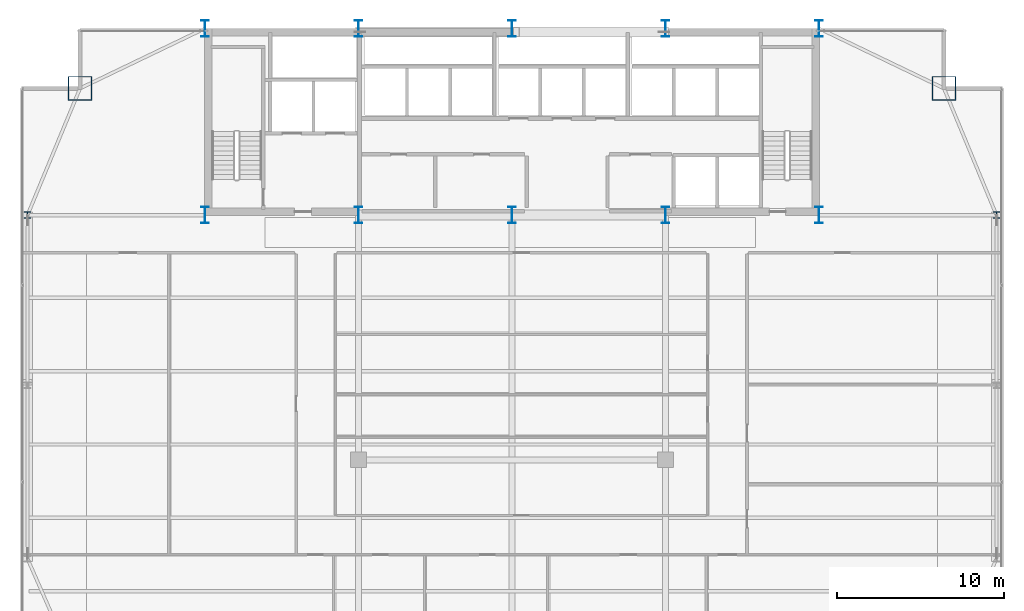
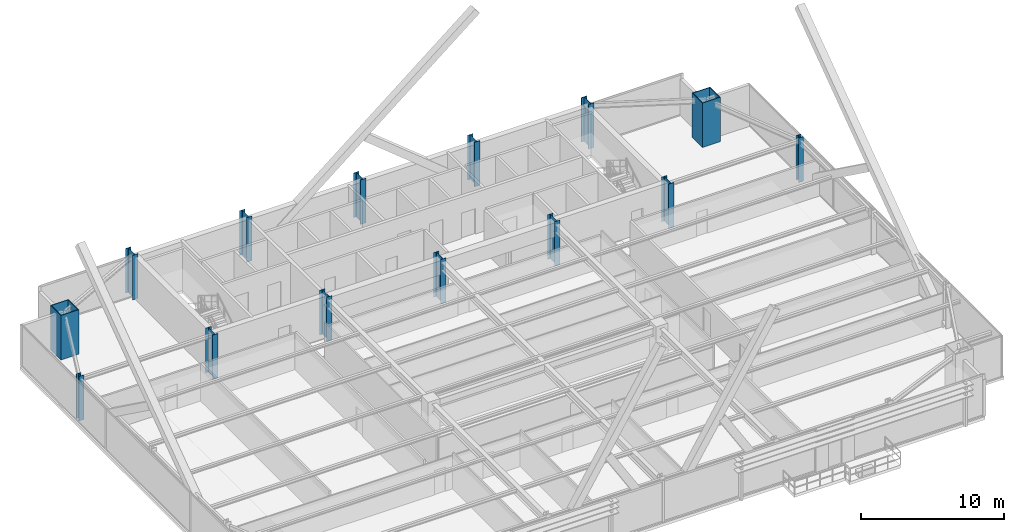
# One storey, part 2 of 37: 14 columns.
"""IFC4 building model written with IfcOpenShell, lengths in metres."""

from ifc_helpers import new_model, si_unit, direction, frame, origin, origin_2d, place, context, subcontext, project, spatial, hollow_rectangle, i_section, extrude, source, transform, mapped, material, material_profile, profile_set, type_object, type_shapes, element, save


model = new_model("IFC4")

# Units and contexts
model_context = context("Model", 3, precision=1e-05, world=origin(), true_north=direction((0.0, 1.0)))
body_context = subcontext(model_context, "Body", "Model", "MODEL_VIEW")
ifc_project = project(units=[si_unit("LENGTHUNIT", "METRE"), si_unit("AREAUNIT", "SQUARE_METRE"), si_unit("VOLUMEUNIT", "CUBIC_METRE"), si_unit("PLANEANGLEUNIT", "RADIAN"), si_unit("MASSUNIT", "GRAM", prefix="KILO")], contexts=[model_context])

# Site, building, storey
site_placement = place(None, origin())
site = spatial("IfcSite", under=ifc_project, at=site_placement, CompositionType="ELEMENT")
building_placement = place(site_placement, origin())
building = spatial("IfcBuilding", under=site, at=building_placement, Name="Varnel Quay Broadcast Tower", CompositionType="ELEMENT")
storey_placement = place(building_placement, frame((0.0, 0.0, 103.0)))
storey = spatial("IfcBuildingStorey", under=building, at=storey_placement, Name="L24", CompositionType="ELEMENT", Elevation=103.0)

# Columns
ifc_material_1 = material(Name="Structural Steel CSA G40.21 350WT", Category="steel")
ifc_material_profile_1 = material_profile(ifc_material_1, i_section(OverallWidth=0.449951171875, OverallDepth=1.0, WebThickness=0.01611328125, FlangeThickness=0.030029296875, FilletRadius=0.01611328125, at=origin_2d()), Name="WWF1000X362")
ifc_profile_set_1 = profile_set([ifc_material_profile_1], Name="Structural Steel CSA G40.21 350WT")
column_type_1 = type_object("IfcColumnType", Name="Col_WWF1000X362", PredefinedType="COLUMN", material=ifc_profile_set_1)
shared_shape_1 = source(origin(), body_context, "Body", "SweptSolid", [
    extrude(i_section(OverallWidth=0.449951171875, OverallDepth=1.0, WebThickness=0.01611328125, FlangeThickness=0.030029296875, FilletRadius=0.01611328125, at=origin_2d()), origin(), (0.0, 0.0, 1.0), 3.800048828125),
])
type_shapes(column_type_1, [shared_shape_1])
for number, where, z_axis, x_axis, name in (
    (1, (15.60009765625, 35.60009765625, 0.0), (0.0, 0.0, 1.0), (1.0, 0.0, 0.0), "L24 Column CC-S1"),
    (2, (15.60009765625, 46.800048828125, 0.0), (0.0, 0.0, 1.0), (1.0, 0.0, 0.0), "L24 Column CC-N1"),
    (3, (24.800048828125, 35.60009765625, 0.0), (0.0, 0.0, 1.0), (1.0, 0.0, 0.0), "L24 Column CC-S2"),
    (4, (24.800048828125, 46.800048828125, 0.0), (0.0, 0.0, 1.0), (1.0, 0.0, 0.0), "L24 Column CC-N2"),
    (5, (34.0, 35.60009765625, 0.0), (0.0, 0.0, 1.0), (1.0, 0.0, 0.0), "L24 Column CC-S3"),
    (6, (34.0, 46.800048828125, 0.0), (0.0, 0.0, 1.0), (1.0, 0.0, 0.0), "L24 Column CC-N3"),
    (7, (43.199951171875, 35.60009765625, 0.0), (0.0, 0.0, 1.0), (1.0, 0.0, 0.0), "L24 Column CC-S4"),
    (8, (43.199951171875, 46.800048828125, 0.0), (0.0, 0.0, 1.0), (1.0, 0.0, 0.0), "L24 Column CC-N4"),
    (9, (52.39990234375, 35.60009765625, 0.0), (0.0, 0.0, 1.0), (1.0, 0.0, 0.0), "L24 Column CC-S5"),
    (10, (52.39990234375, 46.800048828125, 0.0), (0.0, 0.0, 1.0), (1.0, 0.0, 0.0), "L24 Column CC-N5"),
):
    element("IfcColumn", number, at=place(storey_placement, frame(where, z_axis=z_axis, x_axis=x_axis)), inside=storey, type_object=column_type_1, Name=name, PredefinedType="COLUMN", context=body_context, shape_type="MappedRepresentation", body=[
        mapped(shared_shape_1, transform((0.0, 0.0, 0.0), x_axis=(1.0, 0.0, 0.0), y_axis=(0.0, 1.0, 0.0), z_axis=(0.0, 0.0, 1.0), scale=1.0)),
    ])
ifc_material_profile_2 = material_profile(ifc_material_1, hollow_rectangle(XDim=1.449951171875, YDim=1.449951171875, WallThickness=0.054931640625, at=origin_2d()), Name="BOX1450X1450X55")
ifc_profile_set_2 = profile_set([ifc_material_profile_2], Name="Structural Steel CSA G40.21 350WT")
column_type_2 = type_object("IfcColumnType", Name="Col_BOX1450X1450X55", PredefinedType="COLUMN", material=ifc_profile_set_2)
shared_shape_2 = source(origin(), body_context, "Body", "SweptSolid", [
    extrude(hollow_rectangle(XDim=1.449951171875, YDim=1.449951171875, WallThickness=0.054931640625, at=origin_2d()), origin(), (0.0, 0.0, 1.0), 3.800048828125),
])
type_shapes(column_type_2, [shared_shape_2])
for number, where, z_axis, x_axis, name in (
    (11, (59.89990234375, 43.199951171875, 0.0), (0.0, 0.0, 1.0), (1.0, 0.0, 0.0), "L24 Column MC-NE"),
    (12, (8.10009765625, 43.199951171875, 0.0), (0.0, 0.0, 1.0), (1.0, 0.0, 0.0), "L24 Column MC-NW"),
):
    element("IfcColumn", number, at=place(storey_placement, frame(where, z_axis=z_axis, x_axis=x_axis)), inside=storey, type_object=column_type_2, Name=name, PredefinedType="COLUMN", context=body_context, shape_type="MappedRepresentation", body=[
        mapped(shared_shape_2, transform((0.0, 0.0, 0.0), x_axis=(1.0, 0.0, 0.0), y_axis=(0.0, 1.0, 0.0), z_axis=(0.0, 0.0, 1.0), scale=1.0)),
    ])
ifc_material_2 = material(Name="Structural Steel CSA G40.21 350W", Category="steel")
ifc_material_profile_3 = material_profile(ifc_material_2, i_section(OverallWidth=0.39794921875, OverallDepth=0.386962890625, WebThickness=0.02099609375, FlangeThickness=0.033203125, FilletRadius=0.01806640625, at=origin_2d()), Name="W360X262")
ifc_profile_set_3 = profile_set([ifc_material_profile_3], Name="Structural Steel CSA G40.21 350W")
column_type_3 = type_object("IfcColumnType", Name="Col_W360X262", PredefinedType="COLUMN", material=ifc_profile_set_3)
shared_shape_3 = source(origin(), body_context, "Body", "SweptSolid", [
    extrude(i_section(OverallWidth=0.39794921875, OverallDepth=0.386962890625, WebThickness=0.02099609375, FlangeThickness=0.033203125, FilletRadius=0.01806640625, at=origin_2d()), origin(), (0.0, 0.0, 1.0), 3.800048828125),
])
type_shapes(column_type_3, [shared_shape_3])
for number, where, z_axis, x_axis, name in (
    (13, (4.949951171875, 35.60009765625, 0.0), (0.0, 0.0, 1.0), (1.0, 0.0, 0.0), "L24 Column TC-W3"),
    (14, (63.050048828125, 35.60009765625, 0.0), (0.0, 0.0, 1.0), (1.0, 0.0, 0.0), "L24 Column TC-E3"),
):
    element("IfcColumn", number, at=place(storey_placement, frame(where, z_axis=z_axis, x_axis=x_axis)), inside=storey, type_object=column_type_3, Name=name, PredefinedType="COLUMN", context=body_context, shape_type="MappedRepresentation", body=[
        mapped(shared_shape_3, transform((0.0, 0.0, 0.0), x_axis=(1.0, 0.0, 0.0), y_axis=(0.0, 1.0, 0.0), z_axis=(0.0, 0.0, 1.0), scale=1.0)),
    ])

save(model, "model.ifc")
